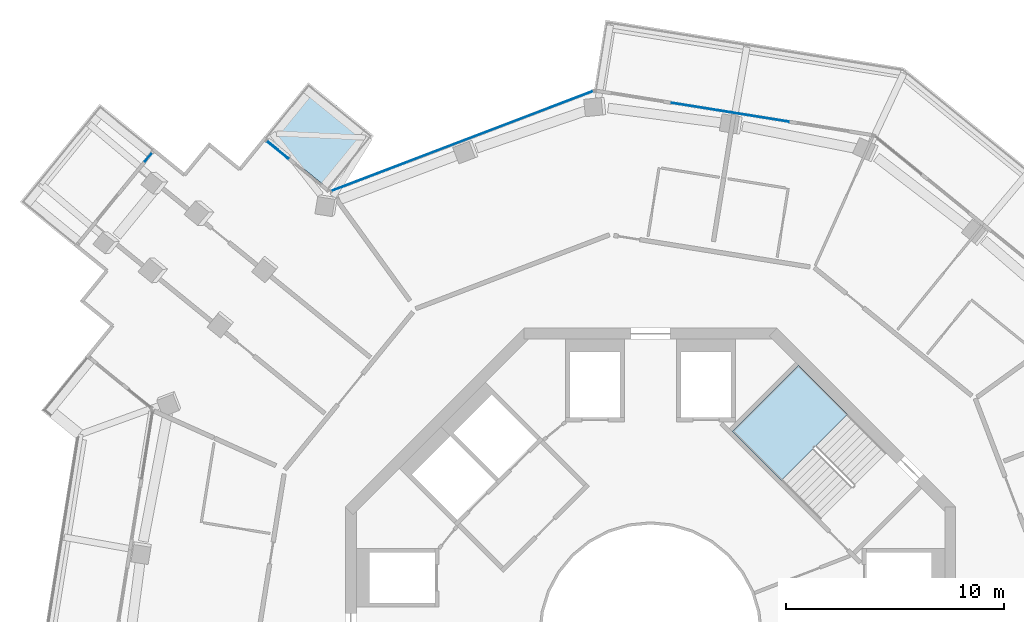
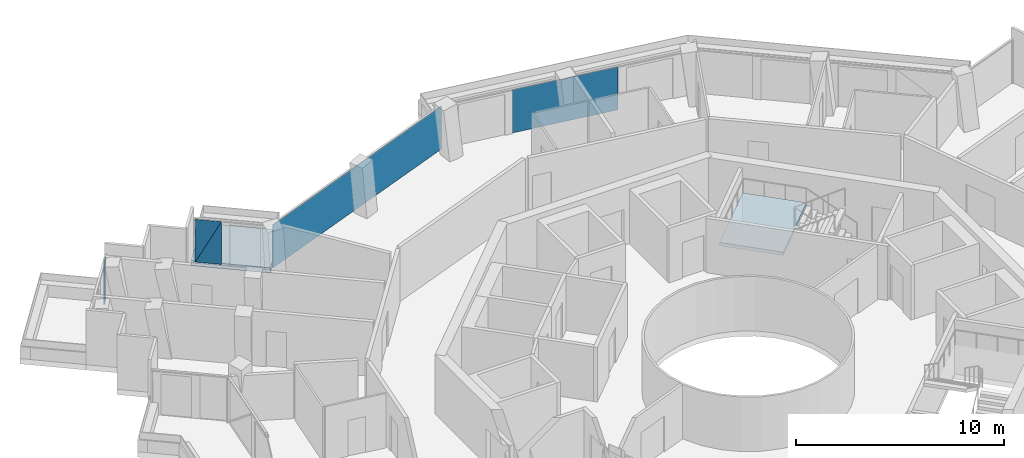
# One storey, part 13 of 23: 5 plates, 2 slabs, 5 elements without a shape of their own.
"""IFC4 building model written with IfcOpenShell, lengths in metres."""

from ifc_helpers import new_model, si_unit, direction, frame, origin, origin_2d, place, context, subcontext, project, spatial, polyline, rectangle, outline, extrude, material, layer, layer_set, type_object, element, aggregate, save


model = new_model("IFC4")

# Units and contexts
model_context = context("Model", 3, precision=1e-05, world=origin(), true_north=direction((0.0, 1.0)))
body_context = subcontext(model_context, "Body", "Model", "MODEL_VIEW")
ifc_project = project(units=[si_unit("LENGTHUNIT", "METRE"), si_unit("AREAUNIT", "SQUARE_METRE"), si_unit("VOLUMEUNIT", "CUBIC_METRE"), si_unit("PLANEANGLEUNIT", "RADIAN"), si_unit("MASSUNIT", "GRAM", prefix="KILO")], contexts=[model_context])

# Site, building, storey
site_placement = place(None, origin())
site = spatial("IfcSite", under=ifc_project, at=site_placement, CompositionType="ELEMENT")
building_placement = place(site_placement, origin())
building = spatial("IfcBuilding", under=site, at=building_placement, Name="Verdalira Terraces Hotel", CompositionType="ELEMENT")
storey_placement = place(building_placement, frame((0.0, 0.0, 241.0)))
storey = spatial("IfcBuildingStorey", under=building, at=storey_placement, Name="L59", CompositionType="ELEMENT", Elevation=241.0)

# Slab
ifc_material_1 = material(Name="Precast concrete C40/50", Category="concrete")
ifc_layer_1 = layer(ifc_material_1, 0.31005859375)
ifc_layer_set_1 = layer_set([ifc_layer_1], Name="Balcony deck 310")
slab_type_1 = type_object("IfcSlabType", Name="Balcony deck 310", PredefinedType="FLOOR", material=ifc_layer_set_1)
slab_1_placement = place(storey_placement, frame((0.0, 0.0, -0.310059)))
element("IfcSlab", 1, at=slab_1_placement, inside=storey, type_object=slab_type_1, Name="Balcony deck", PredefinedType="FLOOR", context=body_context, shape_type="SweptSolid", body=[
    extrude(outline(polyline([(-15.704346, 25.274658), (-17.723389, 22.791992), (-14.718994, 20.348633), (-12.699951, 22.831299), (-15.704346, 25.274658)])), origin(), (0.0, 0.0, 1.0), 0.310059),
])

# Curtain wall, plate
ifc_material_2 = material(Name="Clear glass", Category="glass")
ifc_layer_2 = layer(ifc_material_2, 0.14990234375)
ifc_layer_set_2 = layer_set([ifc_layer_2], Name="CW1 curtain wall")
curtain_wall_type_1 = type_object("IfcCurtainWallType", Name="CW1 curtain wall", PredefinedType="NOTDEFINED", material=ifc_layer_set_2)
curtain_wall_1_placement = place(storey_placement, origin())
curtain_wall_1 = element("IfcCurtainWall", 2, at=curtain_wall_1_placement, inside=storey, type_object=curtain_wall_type_1, Name="CW1 curtain wall L59 edge 40", PredefinedType="NOTDEFINED")
ifc_material_3 = material(Name="Clear glass", Category="glass")
ifc_layer_3 = layer(ifc_material_3, 0.028076171875)
ifc_layer_set_3 = layer_set([ifc_layer_3], Name="CW1 glass unit 28")
plate_type_1 = type_object("IfcPlateType", Name="CW1 glass unit 28", PredefinedType="CURTAIN_PANEL", material=ifc_layer_set_3)
plate_1_placement = place(storey_placement, frame((3.655762, 23.906006, 0.0), z_axis=(0.0, 0.0, 1.0), x_axis=(-0.987358539, 0.15850273, 0.0)))
plate_1 = element("IfcPlate", 3, at=plate_1_placement, type_object=plate_type_1, Name="CW1 glass unit", PredefinedType="CURTAIN_PANEL", context=body_context, shape_type="SweptSolid", body=[
    extrude(rectangle(XDim=5.432373, YDim=0.028076, at=origin_2d()), origin(), (0.0, 0.0, 1.0), 2.524902),
])
aggregate(curtain_wall_1, [plate_1])

curtain_wall_2_placement = place(storey_placement, origin())
curtain_wall_2 = element("IfcCurtainWall", 4, at=curtain_wall_2_placement, inside=storey, type_object=curtain_wall_type_1, Name="CW1 curtain wall L59 edge 41", PredefinedType="NOTDEFINED")
plate_2_placement = place(storey_placement, frame((-8.637939, 22.588135, 0.0), z_axis=(0.0, 0.0, 1.0), x_axis=(-0.934328942, -0.356411879, 0.0)))
plate_2 = element("IfcPlate", 5, at=plate_2_placement, type_object=plate_type_1, Name="CW1 glass unit", PredefinedType="CURTAIN_PANEL", context=body_context, shape_type="SweptSolid", body=[
    extrude(rectangle(XDim=12.839844, YDim=0.028076, at=origin_2d()), origin(), (0.0, 0.0, 1.0), 2.524902),
])
aggregate(curtain_wall_2, [plate_2])

# Curtain wall, plates
ifc_material_4 = material(Name="Clear glass", Category="glass")
ifc_layer_4 = layer(ifc_material_4, 0.14990234375)
ifc_layer_set_4 = layer_set([ifc_layer_4], Name="CW2 curtain wall")
curtain_wall_type_2 = type_object("IfcCurtainWallType", Name="CW2 curtain wall", PredefinedType="NOTDEFINED", material=ifc_layer_set_4)
curtain_wall_3_placement = place(storey_placement, origin())
curtain_wall_3 = element("IfcCurtainWall", 6, at=curtain_wall_3_placement, inside=storey, type_object=curtain_wall_type_2, Name="CW2 curtain wall L59 edge 0", PredefinedType="NOTDEFINED")
ifc_material_5 = material(Name="Clear glass", Category="glass")
ifc_layer_5 = layer(ifc_material_5, 0.031982421875)
ifc_layer_set_5 = layer_set([ifc_layer_5], Name="CW2 glass unit 32")
plate_type_2 = type_object("IfcPlateType", Name="CW2 glass unit 32", PredefinedType="CURTAIN_PANEL", material=ifc_layer_set_5)
plate_3_placement = place(storey_placement, frame((-17.112549, 22.177979, 1.262451), z_axis=(0.63094666, 0.775826212, 0.0), x_axis=(-0.775826212, 0.63094666, 0.0)))
plate_3 = element("IfcPlate", 7, at=plate_3_placement, type_object=plate_type_2, Name="CW2 glass unit", PredefinedType="CURTAIN_PANEL", context=body_context, shape_type="SweptSolid", body=[
    extrude(outline(polyline([(-0.641113, -1.262451), (0.641113, -1.262451), (-0.641113, 1.262451), (-0.641113, -1.262451)])), origin(), (0.0, 0.0, 1.0), 0.031982),
])
plate_4_placement = place(storey_placement, frame((-17.133545, 22.152344, 1.262451), z_axis=(0.63094666, 0.775826212, 0.0), x_axis=(-0.775826212, 0.63094666, 0.0)))
plate_4 = element("IfcPlate", 8, at=plate_4_placement, type_object=plate_type_2, Name="CW2 glass unit", PredefinedType="CURTAIN_PANEL", context=body_context, shape_type="SweptSolid", body=[
    extrude(outline(polyline([(0.641113, -1.262451), (0.641113, 1.262451), (-0.641113, 1.262451), (0.641113, -1.262451)])), origin(), (0.0, 0.0, 1.0), 0.031982),
])
aggregate(curtain_wall_3, [plate_3, plate_4])

# Curtain wall, plate
ifc_material_6 = material(Name="Clear glass", Category="glass")
ifc_layer_6 = layer(ifc_material_6, 0.14990234375)
ifc_layer_set_6 = layer_set([ifc_layer_6], Name="CW3 curtain wall")
curtain_wall_type_3 = type_object("IfcCurtainWallType", Name="CW3 curtain wall", PredefinedType="NOTDEFINED", material=ifc_layer_set_6)
curtain_wall_4_placement = place(storey_placement, origin())
curtain_wall_4 = element("IfcCurtainWall", 9, at=curtain_wall_4_placement, inside=storey, type_object=curtain_wall_type_3, Name="CW3 curtain wall L59 edge 5", PredefinedType="NOTDEFINED")
ifc_material_7 = material(Name="Clear glass", Category="glass")
ifc_layer_7 = layer(ifc_material_7, 0.035888671875)
ifc_layer_set_7 = layer_set([ifc_layer_7], Name="CW3 glass unit 36")
plate_type_3 = type_object("IfcPlateType", Name="CW3 glass unit 36", PredefinedType="CURTAIN_PANEL", material=ifc_layer_set_7)
plate_5_placement = place(storey_placement, frame((-23.035645, 21.84668, 0.0), z_axis=(0.0, 0.0, 1.0), x_axis=(-0.63094666, -0.775826212, 0.0)))
plate_5 = element("IfcPlate", 10, at=plate_5_placement, type_object=plate_type_3, Name="CW3 glass unit", PredefinedType="CURTAIN_PANEL", context=body_context, shape_type="SweptSolid", body=[
    extrude(rectangle(XDim=0.51001, YDim=0.035889, at=origin_2d()), origin(), (0.0, 0.0, 1.0), 2.524902),
])
aggregate(curtain_wall_4, [plate_5])

# Stair, slab
ifc_material_8 = material(Name="Concrete C40", Category="concrete")
stair_type = type_object("IfcStairType", Name="Core stair 20 risers 2100 mm wide", PredefinedType="HALF_TURN_STAIR", material=ifc_material_8)
stair_placement = place(storey_placement, origin())
stair = element("IfcStair", 11, at=stair_placement, inside=storey, type_object=stair_type, Name="L59 Exit stair ST1", PredefinedType="HALF_TURN_STAIR")
ifc_material_9 = material(Name="Concrete C40", Category="concrete")
ifc_layer_8 = layer(ifc_material_9, 0.199951171875)
ifc_layer_set_8 = layer_set([ifc_layer_8], Name="Core stair landing 200 mm")
slab_type_2 = type_object("IfcSlabType", Name="Core stair landing 200 mm", PredefinedType="LANDING", material=ifc_layer_set_8)
slab_2_placement = place(storey_placement, frame((0.0, 0.0, 1.550049)))
slab_2 = element("IfcSlab", 12, at=slab_2_placement, type_object=slab_type_2, Name="ST1 landing 1", PredefinedType="LANDING", context=body_context, shape_type="SweptSolid", body=[
    extrude(outline(polyline([(9.037109, 10.054688), (6.78833, 12.303711), (3.747559, 9.263184), (5.996582, 7.01416), (9.037109, 10.054688)])), origin(), (0.0, 0.0, 1.0), 0.199951),
])
aggregate(stair, [slab_2])

save(model, "model.ifc")
